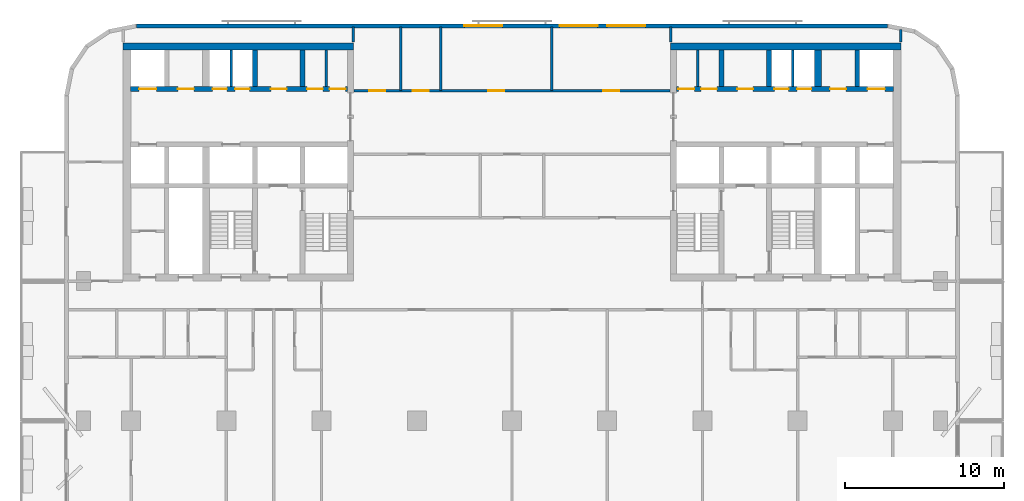
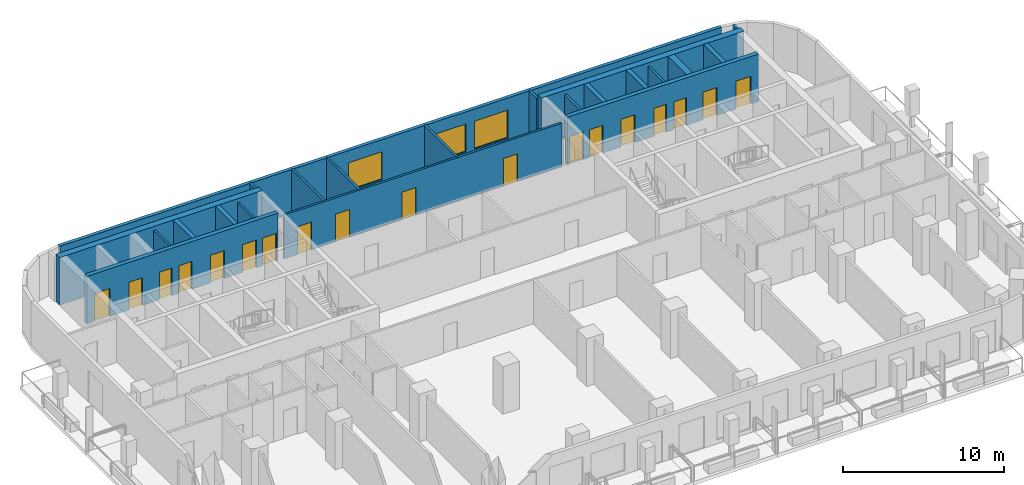
# One storey, part 7 of 12: 22 walls, 18 doors, 3 windows, 21 openings.
"""IFC4 building model written with IfcOpenShell, lengths in metres."""

from ifc_helpers import new_model, si_unit, direction, frame, frame_2d, origin, place, context, subcontext, project, spatial, rectangle, extrude, material, layer, layer_set, type_object, element, fill, save


model = new_model("IFC4")

# Units and contexts
model_context = context("Model", 3, precision=1e-05, world=origin(), true_north=direction((0.0, 1.0)))
body_context = subcontext(model_context, "Body", "Model", "MODEL_VIEW")
ifc_project = project(units=[si_unit("LENGTHUNIT", "METRE"), si_unit("AREAUNIT", "SQUARE_METRE"), si_unit("VOLUMEUNIT", "CUBIC_METRE"), si_unit("PLANEANGLEUNIT", "RADIAN"), si_unit("MASSUNIT", "GRAM", prefix="KILO")], contexts=[model_context])

# Site, building, storey
site_placement = place(None, origin())
site = spatial("IfcSite", under=ifc_project, at=site_placement, CompositionType="ELEMENT")
building_placement = place(site_placement, origin())
building = spatial("IfcBuilding", under=site, at=building_placement, Name="Torana Hotel and Residences", CompositionType="ELEMENT")
storey_placement = place(building_placement, frame((0.0, 0.0, 112.800048828125)))
storey = spatial("IfcBuildingStorey", under=building, at=storey_placement, Name="L28", CompositionType="ELEMENT", Elevation=112.800048828125)

# Wall, openings, doors
ifc_material_1 = material(Name="Concrete C70/85", Category="concrete")
ifc_layer_1 = layer(ifc_material_1, 0.300048828125)
ifc_layer_set_1 = layer_set([ifc_layer_1], Name="CORE WALL 300 C70/85")
wall_type_1 = type_object("IfcWallType", Name="CORE WALL 300 C70/85", PredefinedType="SHEAR", material=ifc_layer_set_1)
wall_1_placement = place(storey_placement, frame((-24.050048828125, -2.89990234375, 0.0), z_axis=(0.0, 0.0, 1.0), x_axis=(1.0, 0.0, 0.0)))
wall_1 = element("IfcWall", 1, at=wall_1_placement, inside=storey, type_object=wall_type_1, Name="Core wall W row-N", PredefinedType="SHEAR", context=body_context, shape_type="SweptSolid", body=[
    extrude(rectangle(XDim=13.699951171875, YDim=0.300048828125, at=frame_2d((6.85009765625, 0.0))), origin(), (0.0, 0.0, 1.0), 3.599853515625),
])
opening_1_placement = place(wall_1_placement, frame((0.550048828125, 0.0, 0.0)))
opening_1 = element("IfcOpeningElement", 2, at=opening_1_placement, cuts=wall_1, Name="Opening LD", PredefinedType="OPENING", context=body_context, shape_type="SweptSolid", body=[
    extrude(rectangle(XDim=1.10009765625, YDim=2.10009765625, at=frame_2d((0.550048828125, 1.050048828125))), frame((0.0, 0.159912109375, 0.0), z_axis=(0.0, -1.0, 0.0), x_axis=(1.0, 0.0, 0.0)), (0.0, 0.0, 1.0), 0.320068359375),
])
opening_2_placement = place(wall_1_placement, frame((6.612548828125, 0.0, 0.0)))
opening_2 = element("IfcOpeningElement", 3, at=opening_2_placement, cuts=wall_1, Name="Opening L28-08", PredefinedType="OPENING", context=body_context, shape_type="SweptSolid", body=[
    extrude(rectangle(XDim=0.89990234375, YDim=2.10009765625, at=frame_2d((0.449951171875, 1.050048828125))), frame((0.0, 0.159912109375, 0.0), z_axis=(0.0, -1.0, 0.0), x_axis=(1.0, 0.0, 0.0)), (0.0, 0.0, 1.0), 0.320068359375),
])
opening_3_placement = place(wall_1_placement, frame((5.1875, 0.0, 0.0)))
opening_3 = element("IfcOpeningElement", 4, at=opening_3_placement, cuts=wall_1, Name="Opening L28-09", PredefinedType="OPENING", context=body_context, shape_type="SweptSolid", body=[
    extrude(rectangle(XDim=0.89990234375, YDim=2.10009765625, at=frame_2d((0.449951171875, 1.050048828125))), frame((0.0, 0.159912109375, 0.0), z_axis=(0.0, -1.0, 0.0), x_axis=(1.0, 0.0, 0.0)), (0.0, 0.0, 1.0), 0.320068359375),
])
opening_4_placement = place(wall_1_placement, frame((12.5625, 0.0, 0.0)))
opening_4 = element("IfcOpeningElement", 5, at=opening_4_placement, cuts=wall_1, Name="Opening L28-10", PredefinedType="OPENING", context=body_context, shape_type="SweptSolid", body=[
    extrude(rectangle(XDim=1.0, YDim=2.10009765625, at=frame_2d((0.5, 1.050048828125))), frame((0.0, 0.159912109375, 0.0), z_axis=(0.0, -1.0, 0.0), x_axis=(1.0, 0.0, 0.0)), (0.0, 0.0, 1.0), 0.320068359375),
])
opening_5_placement = place(wall_1_placement, frame((11.137451171875, 0.0, 0.0)))
opening_5 = element("IfcOpeningElement", 6, at=opening_5_placement, cuts=wall_1, Name="Opening L28-11", PredefinedType="OPENING", context=body_context, shape_type="SweptSolid", body=[
    extrude(rectangle(XDim=1.0, YDim=2.10009765625, at=frame_2d((0.5, 1.050048828125))), frame((0.0, 0.159912109375, 0.0), z_axis=(0.0, -1.0, 0.0), x_axis=(1.0, 0.0, 0.0)), (0.0, 0.0, 1.0), 0.320068359375),
])
opening_6_placement = place(wall_1_placement, frame((8.85009765625, 0.0, 0.0)))
opening_6 = element("IfcOpeningElement", 7, at=opening_6_placement, cuts=wall_1, Name="Opening L28-12", PredefinedType="OPENING", context=body_context, shape_type="SweptSolid", body=[
    extrude(rectangle(XDim=1.0, YDim=2.10009765625, at=frame_2d((0.5, 1.050048828125))), frame((0.0, 0.159912109375, 0.0), z_axis=(0.0, -1.0, 0.0), x_axis=(1.0, 0.0, 0.0)), (0.0, 0.0, 1.0), 0.320068359375),
])
opening_7_placement = place(wall_1_placement, frame((3.0, 0.0, 0.0)))
opening_7 = element("IfcOpeningElement", 8, at=opening_7_placement, cuts=wall_1, Name="Opening L28-13", PredefinedType="OPENING", context=body_context, shape_type="SweptSolid", body=[
    extrude(rectangle(XDim=1.0, YDim=2.10009765625, at=frame_2d((0.5, 1.050048828125))), frame((0.0, 0.159912109375, 0.0), z_axis=(0.0, -1.0, 0.0), x_axis=(1.0, 0.0, 0.0)), (0.0, 0.0, 1.0), 0.320068359375),
])
ifc_material_2 = material(Name="Steel S235", Category="steel")
door_type_1 = type_object("IfcDoorType", Name="CORE ROOM FIRE DOOR D14 1000x2100", OperationType="SINGLE_SWING_LEFT", PredefinedType="DOOR", material=ifc_material_2)
door_1_placement = place(opening_4_placement, origin())
door_1 = element("IfcDoor", 9, at=door_1_placement, inside=storey, type_object=door_type_1, Name="N0A door L28", OperationType="SINGLE_SWING_RIGHT", OverallHeight=2.10009765625, OverallWidth=1.0, PredefinedType="DOOR", context=body_context, shape_type="SweptSolid", body=[
    extrude(rectangle(XDim=1.0, YDim=2.10009765625, at=frame_2d((0.5, 1.050048828125))), frame((0.0, 0.02490234375, 0.0), z_axis=(0.0, -1.0, 0.0), x_axis=(1.0, 0.0, 0.0)), (0.0, 0.0, 1.0), 0.050048828125),
])
fill(opening_4, door_1)
door_2_placement = place(opening_5_placement, origin())
door_2 = element("IfcDoor", 10, at=door_2_placement, inside=storey, type_object=door_type_1, Name="N0B door L28", OperationType="SINGLE_SWING_RIGHT", OverallHeight=2.10009765625, OverallWidth=1.0, PredefinedType="DOOR", context=body_context, shape_type="SweptSolid", body=[
    extrude(rectangle(XDim=1.0, YDim=2.10009765625, at=frame_2d((0.5, 1.050048828125))), frame((0.0, 0.02490234375, 0.0), z_axis=(0.0, -1.0, 0.0), x_axis=(1.0, 0.0, 0.0)), (0.0, 0.0, 1.0), 0.050048828125),
])
fill(opening_5, door_2)
door_3_placement = place(opening_6_placement, origin())
door_3 = element("IfcDoor", 11, at=door_3_placement, inside=storey, type_object=door_type_1, Name="N1 door L28", OperationType="SINGLE_SWING_RIGHT", OverallHeight=2.10009765625, OverallWidth=1.0, PredefinedType="DOOR", context=body_context, shape_type="SweptSolid", body=[
    extrude(rectangle(XDim=1.0, YDim=2.10009765625, at=frame_2d((0.5, 1.050048828125))), frame((0.0, 0.02490234375, 0.0), z_axis=(0.0, -1.0, 0.0), x_axis=(1.0, 0.0, 0.0)), (0.0, 0.0, 1.0), 0.050048828125),
])
fill(opening_6, door_3)
door_4_placement = place(opening_7_placement, origin())
door_4 = element("IfcDoor", 12, at=door_4_placement, inside=storey, type_object=door_type_1, Name="Freed-S1 door L28", OperationType="SINGLE_SWING_RIGHT", OverallHeight=2.10009765625, OverallWidth=1.0, PredefinedType="DOOR", context=body_context, shape_type="SweptSolid", body=[
    extrude(rectangle(XDim=1.0, YDim=2.10009765625, at=frame_2d((0.5, 1.050048828125))), frame((0.0, 0.02490234375, 0.0), z_axis=(0.0, -1.0, 0.0), x_axis=(1.0, 0.0, 0.0)), (0.0, 0.0, 1.0), 0.050048828125),
])
fill(opening_7, door_4)
ifc_material_3 = material(Name="Stainless steel 316", Category="steel")
door_type_2 = type_object("IfcDoorType", Name="LIFT LANDING DOOR LD 1100x2100", OperationType="DOUBLE_DOOR_SLIDING", PredefinedType="USERDEFINED", material=ifc_material_3)
door_5_placement = place(opening_1_placement, origin())
door_5 = element("IfcDoor", 13, at=door_5_placement, inside=storey, type_object=door_type_2, Name="Lift landing door M1 L28", ObjectType="LIFT LANDING DOOR", OperationType="DOUBLE_DOOR_SLIDING", OverallHeight=2.10009765625, OverallWidth=1.10009765625, PredefinedType="USERDEFINED", context=body_context, shape_type="SweptSolid", body=[
    extrude(rectangle(XDim=1.10009765625, YDim=2.10009765625, at=frame_2d((0.550048828125, 1.050048828125))), frame((0.0, 0.02490234375, 0.0), z_axis=(0.0, -1.0, 0.0), x_axis=(1.0, 0.0, 0.0)), (0.0, 0.0, 1.0), 0.050048828125),
])
fill(opening_1, door_5)
ifc_material_4 = material(Name="Steel S235", Category="steel")
door_type_3 = type_object("IfcDoorType", Name="RISER ACCESS DOOR D5 900x2100", OperationType="SINGLE_SWING_LEFT", PredefinedType="DOOR", material=ifc_material_4)
door_6_placement = place(opening_2_placement, origin())
door_6 = element("IfcDoor", 14, at=door_6_placement, inside=storey, type_object=door_type_3, Name="N2A door L28", OperationType="SINGLE_SWING_RIGHT", OverallHeight=2.10009765625, OverallWidth=0.89990234375, PredefinedType="DOOR", context=body_context, shape_type="SweptSolid", body=[
    extrude(rectangle(XDim=0.89990234375, YDim=2.10009765625, at=frame_2d((0.449951171875, 1.050048828125))), frame((0.0, 0.02490234375, 0.0), z_axis=(0.0, -1.0, 0.0), x_axis=(1.0, 0.0, 0.0)), (0.0, 0.0, 1.0), 0.050048828125),
])
fill(opening_2, door_6)
door_7_placement = place(opening_3_placement, origin())
door_7 = element("IfcDoor", 15, at=door_7_placement, inside=storey, type_object=door_type_3, Name="N2B door L28", OperationType="SINGLE_SWING_RIGHT", OverallHeight=2.10009765625, OverallWidth=0.89990234375, PredefinedType="DOOR", context=body_context, shape_type="SweptSolid", body=[
    extrude(rectangle(XDim=0.89990234375, YDim=2.10009765625, at=frame_2d((0.449951171875, 1.050048828125))), frame((0.0, 0.02490234375, 0.0), z_axis=(0.0, -1.0, 0.0), x_axis=(1.0, 0.0, 0.0)), (0.0, 0.0, 1.0), 0.050048828125),
])
fill(opening_3, door_7)

# Walls
for number, where, z_axis, x_axis, name in (
    (16, (-13.199951171875, -2.75, 0.0), (0.0, 0.0, 1.0), (0.0, 1.0, 0.0), "Core wall W x3.05-N"),
    (17, (-16.199951171875, -2.75, 0.0), (0.0, 0.0, 1.0), (0.0, 1.0, 0.0), "Core wall W x6.05-N"),
):
    element("IfcWall", number, at=place(storey_placement, frame(where, z_axis=z_axis, x_axis=x_axis)), inside=storey, type_object=wall_type_1, Name=name, PredefinedType="SHEAR", context=body_context, shape_type="SweptSolid", body=[
        extrude(rectangle(XDim=2.300048828125, YDim=0.300048828125, at=frame_2d((1.14990234375, 0.0))), origin(), (0.0, 0.0, 1.0), 3.599853515625),
    ])

# Wall, openings, doors
wall_2_placement = place(storey_placement, frame((10.35009765625, -2.89990234375, 0.0), z_axis=(0.0, 0.0, 1.0), x_axis=(1.0, 0.0, 0.0)))
wall_2 = element("IfcWall", 18, at=wall_2_placement, inside=storey, type_object=wall_type_1, Name="Core wall E row-N", PredefinedType="SHEAR", context=body_context, shape_type="SweptSolid", body=[
    extrude(rectangle(XDim=13.699951171875, YDim=0.300048828125, at=frame_2d((6.85009765625, 0.0))), origin(), (0.0, 0.0, 1.0), 3.599853515625),
])
opening_8_placement = place(wall_2_placement, frame((12.050048828125, 0.0, 0.0)))
opening_8 = element("IfcOpeningElement", 19, at=opening_8_placement, cuts=wall_2, Name="Opening LD", PredefinedType="OPENING", context=body_context, shape_type="SweptSolid", body=[
    extrude(rectangle(XDim=1.10009765625, YDim=2.10009765625, at=frame_2d((0.550048828125, 1.050048828125))), frame((0.0, 0.159912109375, 0.0), z_axis=(0.0, -1.0, 0.0), x_axis=(1.0, 0.0, 0.0)), (0.0, 0.0, 1.0), 0.320068359375),
])
opening_9_placement = place(wall_2_placement, frame((6.1875, 0.0, 0.0)))
opening_9 = element("IfcOpeningElement", 20, at=opening_9_placement, cuts=wall_2, Name="Opening L28-23", PredefinedType="OPENING", context=body_context, shape_type="SweptSolid", body=[
    extrude(rectangle(XDim=0.89990234375, YDim=2.10009765625, at=frame_2d((0.449951171875, 1.050048828125))), frame((0.0, 0.159912109375, 0.0), z_axis=(0.0, -1.0, 0.0), x_axis=(1.0, 0.0, 0.0)), (0.0, 0.0, 1.0), 0.320068359375),
])
opening_10_placement = place(wall_2_placement, frame((7.612548828125, 0.0, 0.0)))
opening_10 = element("IfcOpeningElement", 21, at=opening_10_placement, cuts=wall_2, Name="Opening L28-24", PredefinedType="OPENING", context=body_context, shape_type="SweptSolid", body=[
    extrude(rectangle(XDim=0.89990234375, YDim=2.10009765625, at=frame_2d((0.449951171875, 1.050048828125))), frame((0.0, 0.159912109375, 0.0), z_axis=(0.0, -1.0, 0.0), x_axis=(1.0, 0.0, 0.0)), (0.0, 0.0, 1.0), 0.320068359375),
])
opening_11_placement = place(wall_2_placement, frame((0.137451171875, 0.0, 0.0)))
opening_11 = element("IfcOpeningElement", 22, at=opening_11_placement, cuts=wall_2, Name="Opening L28-25", PredefinedType="OPENING", context=body_context, shape_type="SweptSolid", body=[
    extrude(rectangle(XDim=1.0, YDim=2.10009765625, at=frame_2d((0.5, 1.050048828125))), frame((0.0, 0.159912109375, 0.0), z_axis=(0.0, -1.0, 0.0), x_axis=(1.0, 0.0, 0.0)), (0.0, 0.0, 1.0), 0.320068359375),
])
opening_12_placement = place(wall_2_placement, frame((1.5625, 0.0, 0.0)))
opening_12 = element("IfcOpeningElement", 23, at=opening_12_placement, cuts=wall_2, Name="Opening L28-26", PredefinedType="OPENING", context=body_context, shape_type="SweptSolid", body=[
    extrude(rectangle(XDim=1.0, YDim=2.10009765625, at=frame_2d((0.5, 1.050048828125))), frame((0.0, 0.159912109375, 0.0), z_axis=(0.0, -1.0, 0.0), x_axis=(1.0, 0.0, 0.0)), (0.0, 0.0, 1.0), 0.320068359375),
])
opening_13_placement = place(wall_2_placement, frame((3.85009765625, 0.0, 0.0)))
opening_13 = element("IfcOpeningElement", 24, at=opening_13_placement, cuts=wall_2, Name="Opening L28-27", PredefinedType="OPENING", context=body_context, shape_type="SweptSolid", body=[
    extrude(rectangle(XDim=1.0, YDim=2.10009765625, at=frame_2d((0.5, 1.050048828125))), frame((0.0, 0.159912109375, 0.0), z_axis=(0.0, -1.0, 0.0), x_axis=(1.0, 0.0, 0.0)), (0.0, 0.0, 1.0), 0.320068359375),
])
opening_14_placement = place(wall_2_placement, frame((9.699951171875, 0.0, 0.0)))
opening_14 = element("IfcOpeningElement", 25, at=opening_14_placement, cuts=wall_2, Name="Opening L28-28", PredefinedType="OPENING", context=body_context, shape_type="SweptSolid", body=[
    extrude(rectangle(XDim=1.0, YDim=2.10009765625, at=frame_2d((0.5, 1.050048828125))), frame((0.0, 0.159912109375, 0.0), z_axis=(0.0, -1.0, 0.0), x_axis=(1.0, 0.0, 0.0)), (0.0, 0.0, 1.0), 0.320068359375),
])
door_8_placement = place(opening_11_placement, origin())
door_8 = element("IfcDoor", 26, at=door_8_placement, inside=storey, type_object=door_type_1, Name="N0A door L28", OperationType="SINGLE_SWING_RIGHT", OverallHeight=2.10009765625, OverallWidth=1.0, PredefinedType="DOOR", context=body_context, shape_type="SweptSolid", body=[
    extrude(rectangle(XDim=1.0, YDim=2.10009765625, at=frame_2d((0.5, 1.050048828125))), frame((0.0, 0.02490234375, 0.0), z_axis=(0.0, -1.0, 0.0), x_axis=(1.0, 0.0, 0.0)), (0.0, 0.0, 1.0), 0.050048828125),
])
fill(opening_11, door_8)
door_9_placement = place(opening_12_placement, origin())
door_9 = element("IfcDoor", 27, at=door_9_placement, inside=storey, type_object=door_type_1, Name="N0B door L28", OperationType="SINGLE_SWING_RIGHT", OverallHeight=2.10009765625, OverallWidth=1.0, PredefinedType="DOOR", context=body_context, shape_type="SweptSolid", body=[
    extrude(rectangle(XDim=1.0, YDim=2.10009765625, at=frame_2d((0.5, 1.050048828125))), frame((0.0, 0.02490234375, 0.0), z_axis=(0.0, -1.0, 0.0), x_axis=(1.0, 0.0, 0.0)), (0.0, 0.0, 1.0), 0.050048828125),
])
fill(opening_12, door_9)
door_10_placement = place(opening_13_placement, origin())
door_10 = element("IfcDoor", 28, at=door_10_placement, inside=storey, type_object=door_type_1, Name="N1 door L28", OperationType="SINGLE_SWING_RIGHT", OverallHeight=2.10009765625, OverallWidth=1.0, PredefinedType="DOOR", context=body_context, shape_type="SweptSolid", body=[
    extrude(rectangle(XDim=1.0, YDim=2.10009765625, at=frame_2d((0.5, 1.050048828125))), frame((0.0, 0.02490234375, 0.0), z_axis=(0.0, -1.0, 0.0), x_axis=(1.0, 0.0, 0.0)), (0.0, 0.0, 1.0), 0.050048828125),
])
fill(opening_13, door_10)
door_11_placement = place(opening_14_placement, origin())
door_11 = element("IfcDoor", 29, at=door_11_placement, inside=storey, type_object=door_type_1, Name="Freed-S2 door L28", OperationType="SINGLE_SWING_RIGHT", OverallHeight=2.10009765625, OverallWidth=1.0, PredefinedType="DOOR", context=body_context, shape_type="SweptSolid", body=[
    extrude(rectangle(XDim=1.0, YDim=2.10009765625, at=frame_2d((0.5, 1.050048828125))), frame((0.0, 0.02490234375, 0.0), z_axis=(0.0, -1.0, 0.0), x_axis=(1.0, 0.0, 0.0)), (0.0, 0.0, 1.0), 0.050048828125),
])
fill(opening_14, door_11)
door_12_placement = place(opening_8_placement, origin())
door_12 = element("IfcDoor", 30, at=door_12_placement, inside=storey, type_object=door_type_2, Name="Lift landing door M3 L28", ObjectType="LIFT LANDING DOOR", OperationType="DOUBLE_DOOR_SLIDING", OverallHeight=2.10009765625, OverallWidth=1.10009765625, PredefinedType="USERDEFINED", context=body_context, shape_type="SweptSolid", body=[
    extrude(rectangle(XDim=1.10009765625, YDim=2.10009765625, at=frame_2d((0.550048828125, 1.050048828125))), frame((0.0, 0.02490234375, 0.0), z_axis=(0.0, -1.0, 0.0), x_axis=(1.0, 0.0, 0.0)), (0.0, 0.0, 1.0), 0.050048828125),
])
fill(opening_8, door_12)
door_13_placement = place(opening_9_placement, origin())
door_13 = element("IfcDoor", 31, at=door_13_placement, inside=storey, type_object=door_type_3, Name="N2A door L28", OperationType="SINGLE_SWING_RIGHT", OverallHeight=2.10009765625, OverallWidth=0.89990234375, PredefinedType="DOOR", context=body_context, shape_type="SweptSolid", body=[
    extrude(rectangle(XDim=0.89990234375, YDim=2.10009765625, at=frame_2d((0.449951171875, 1.050048828125))), frame((0.0, 0.02490234375, 0.0), z_axis=(0.0, -1.0, 0.0), x_axis=(1.0, 0.0, 0.0)), (0.0, 0.0, 1.0), 0.050048828125),
])
fill(opening_9, door_13)
door_14_placement = place(opening_10_placement, origin())
door_14 = element("IfcDoor", 32, at=door_14_placement, inside=storey, type_object=door_type_3, Name="N2B door L28", OperationType="SINGLE_SWING_RIGHT", OverallHeight=2.10009765625, OverallWidth=0.89990234375, PredefinedType="DOOR", context=body_context, shape_type="SweptSolid", body=[
    extrude(rectangle(XDim=0.89990234375, YDim=2.10009765625, at=frame_2d((0.449951171875, 1.050048828125))), frame((0.0, 0.02490234375, 0.0), z_axis=(0.0, -1.0, 0.0), x_axis=(1.0, 0.0, 0.0)), (0.0, 0.0, 1.0), 0.050048828125),
])
fill(opening_10, door_14)

# Walls
for number, where, z_axis, x_axis, name in (
    (33, (13.199951171875, -2.75, 0.0), (0.0, 0.0, 1.0), (0.0, 1.0, 0.0), "Core wall E x3.05-N"),
    (34, (16.199951171875, -2.75, 0.0), (0.0, 0.0, 1.0), (0.0, 1.0, 0.0), "Core wall E x6.05-N"),
    (35, (21.75, -2.75, 0.0), (0.0, 0.0, 1.0), (0.0, 1.0, 0.0), "Core wall E mm-N"),
):
    element("IfcWall", number, at=place(storey_placement, frame(where, z_axis=z_axis, x_axis=x_axis)), inside=storey, type_object=wall_type_1, Name=name, PredefinedType="SHEAR", context=body_context, shape_type="SweptSolid", body=[
        extrude(rectangle(XDim=2.300048828125, YDim=0.300048828125, at=frame_2d((1.14990234375, 0.0))), origin(), (0.0, 0.0, 1.0), 3.599853515625),
    ])
ifc_material_5 = material(Name="Concrete C70/85", Category="concrete")
ifc_layer_2 = layer(ifc_material_5, 0.449951171875)
ifc_layer_set_2 = layer_set([ifc_layer_2], Name="CORE WALL 450 C70/85")
wall_type_2 = type_object("IfcWallType", Name="CORE WALL 450 C70/85", PredefinedType="SHEAR", material=ifc_layer_set_2)
for number, where, z_axis, x_axis, name in (
    (36, (-24.5, -0.22509765625, 0.0), (0.0, 0.0, 1.0), (1.0, 0.0, 0.0), "Core wall W rear"),
    (37, (10.0, -0.22509765625, 0.0), (0.0, 0.0, 1.0), (1.0, 0.0, 0.0), "Core wall E rear"),
):
    element("IfcWall", number, at=place(storey_placement, frame(where, z_axis=z_axis, x_axis=x_axis)), inside=storey, type_object=wall_type_2, Name=name, PredefinedType="SHEAR", context=body_context, shape_type="SweptSolid", body=[
        extrude(rectangle(XDim=14.5, YDim=0.449951171875, at=frame_2d((7.25, 0.0))), origin(), (0.0, 0.0, 1.0), 3.599853515625),
    ])
wall_3_placement = place(storey_placement, frame((19.27490234375, -2.75, 0.0), z_axis=(0.0, 0.0, 1.0), x_axis=(0.0, 1.0, 0.0)))
element("IfcWall", 38, at=wall_3_placement, inside=storey, type_object=wall_type_2, Name="Core wall E hm-N", PredefinedType="SHEAR", context=body_context, shape_type="SweptSolid", body=[
    extrude(rectangle(XDim=2.300048828125, YDim=0.449951171875, at=frame_2d((1.14990234375, 0.0))), origin(), (0.0, 0.0, 1.0), 3.599853515625),
])

# Wall, openings, windows
ifc_material_6 = material(Name="Concrete C40/50 precast", Category="concrete")
ifc_layer_3 = layer(ifc_material_6, 0.10009765625, Name="Perforated block", Category="cladding")
ifc_material_7 = material(Name="Air cavity")
ifc_layer_4 = layer(ifc_material_7, 0.030029296875, Name="Cavity", Category="cavity")
ifc_material_8 = material(Name="Concrete C40/50", Category="concrete")
ifc_layer_5 = layer(ifc_material_8, 0.10009765625, Name="Wall", Category="structure")
ifc_material_9 = material(Name="Plaster and paint")
ifc_layer_6 = layer(ifc_material_9, 0.02001953125, Name="Inner finish", Category="finish")
ifc_layer_set_3 = layer_set([ifc_layer_3, ifc_layer_4, ifc_layer_5, ifc_layer_6], Name="EW2 PERFORATED BLOCK SCREEN WALL 250")
wall_type_3 = type_object("IfcWallType", Name="EW2 PERFORATED BLOCK SCREEN WALL 250", PredefinedType="SOLIDWALL", material=ifc_layer_set_3)
wall_4_placement = place(storey_placement, frame((23.67529296875, 1.074951171875, 0.0), z_axis=(0.0, 0.0, 1.0), x_axis=(-1.0, 0.0, 0.0)))
wall_4 = element("IfcWall", 39, at=wall_4_placement, inside=storey, type_object=wall_type_3, Name="External wall L28 e0.4", PredefinedType="SOLIDWALL", context=body_context, shape_type="SweptSolid", body=[
    extrude(rectangle(XDim=47.3505859375, YDim=0.25, at=frame_2d((23.67529296875, 0.0))), origin(), (0.0, 0.0, 1.0), 3.320068359375),
])
opening_15_placement = place(wall_4_placement, frame((15.275390625, 0.0, 0.300048828125)))
opening_15 = element("IfcOpeningElement", 40, at=opening_15_placement, cuts=wall_4, Name="Opening W1", PredefinedType="OPENING", context=body_context, shape_type="SweptSolid", body=[
    extrude(rectangle(XDim=2.39990234375, YDim=2.10009765625, at=frame_2d((1.199951171875, 1.050048828125))), frame((0.0, 0.135009765625, 0.0), z_axis=(0.0, -1.0, 0.0), x_axis=(1.0, 0.0, 0.0)), (0.0, 0.0, 1.0), 0.27001953125),
])
opening_16_placement = place(wall_4_placement, frame((18.275390625, 0.0, 0.300048828125)))
opening_16 = element("IfcOpeningElement", 41, at=opening_16_placement, cuts=wall_4, Name="Opening W1", PredefinedType="OPENING", context=body_context, shape_type="SweptSolid", body=[
    extrude(rectangle(XDim=2.39990234375, YDim=2.10009765625, at=frame_2d((1.199951171875, 1.050048828125))), frame((0.0, 0.135009765625, 0.0), z_axis=(0.0, -1.0, 0.0), x_axis=(1.0, 0.0, 0.0)), (0.0, 0.0, 1.0), 0.27001953125),
])
opening_17_placement = place(wall_4_placement, frame((24.275390625, 0.0, 0.300048828125)))
opening_17 = element("IfcOpeningElement", 42, at=opening_17_placement, cuts=wall_4, Name="Opening W1", PredefinedType="OPENING", context=body_context, shape_type="SweptSolid", body=[
    extrude(rectangle(XDim=2.39990234375, YDim=2.10009765625, at=frame_2d((1.199951171875, 1.050048828125))), frame((0.0, 0.135009765625, 0.0), z_axis=(0.0, -1.0, 0.0), x_axis=(1.0, 0.0, 0.0)), (0.0, 0.0, 1.0), 0.27001953125),
])
ifc_material_10 = material(Name="Dark glass in black aluminium frame", Category="aluminium")
window_type = type_object("IfcWindowType", Name="W1 HOTEL ROOM WINDOW 2400x2100", PartitioningType="SINGLE_PANEL", PredefinedType="WINDOW", material=ifc_material_10)
window_1_placement = place(opening_15_placement, origin())
window_1 = element("IfcWindow", 43, at=window_1_placement, inside=storey, type_object=window_type, Name="Window L28", OverallHeight=2.10009765625, OverallWidth=2.39990234375, PartitioningType="SINGLE_PANEL", PredefinedType="WINDOW", context=body_context, shape_type="SweptSolid", body=[
    extrude(rectangle(XDim=2.39990234375, YDim=2.10009765625, at=frame_2d((1.199951171875, 1.050048828125))), frame((0.0, 0.030029296875, 0.0), z_axis=(0.0, -1.0, 0.0), x_axis=(1.0, 0.0, 0.0)), (0.0, 0.0, 1.0), 0.06005859375),
])
fill(opening_15, window_1)
window_2_placement = place(opening_16_placement, origin())
window_2 = element("IfcWindow", 44, at=window_2_placement, inside=storey, type_object=window_type, Name="Window L28", OverallHeight=2.10009765625, OverallWidth=2.39990234375, PartitioningType="SINGLE_PANEL", PredefinedType="WINDOW", context=body_context, shape_type="SweptSolid", body=[
    extrude(rectangle(XDim=2.39990234375, YDim=2.10009765625, at=frame_2d((1.199951171875, 1.050048828125))), frame((0.0, 0.030029296875, 0.0), z_axis=(0.0, -1.0, 0.0), x_axis=(1.0, 0.0, 0.0)), (0.0, 0.0, 1.0), 0.06005859375),
])
fill(opening_16, window_2)
window_3_placement = place(opening_17_placement, origin())
window_3 = element("IfcWindow", 45, at=window_3_placement, inside=storey, type_object=window_type, Name="Window L28", OverallHeight=2.10009765625, OverallWidth=2.39990234375, PartitioningType="SINGLE_PANEL", PredefinedType="WINDOW", context=body_context, shape_type="SweptSolid", body=[
    extrude(rectangle(XDim=2.39990234375, YDim=2.10009765625, at=frame_2d((1.199951171875, 1.050048828125))), frame((0.0, 0.030029296875, 0.0), z_axis=(0.0, -1.0, 0.0), x_axis=(1.0, 0.0, 0.0)), (0.0, 0.0, 1.0), 0.06005859375),
])
fill(opening_17, window_3)

# Walls
ifc_material_11 = material(Name="Gypsum plaster")
ifc_layer_7 = layer(ifc_material_11, 0.014892578125, Name="Plaster", Category="finish")
ifc_material_12 = material(Name="Concrete blockwork", Category="masonry")
ifc_layer_8 = layer(ifc_material_12, 0.1201171875, Name="Blockwork", Category="structure")
ifc_layer_9 = layer(ifc_material_11, 0.014892578125, Name="Plaster", Category="finish")
ifc_layer_set_4 = layer_set([ifc_layer_7, ifc_layer_8, ifc_layer_9], Name="FIRE PARTITION 150 BLOCKWORK")
wall_type_4 = type_object("IfcWallType", Name="FIRE PARTITION 150 BLOCKWORK", PredefinedType="PARTITIONING", material=ifc_layer_set_4)
for number, where, z_axis, x_axis, name in (
    (46, (-17.699951171875, -2.75, 0.0), (0.0, 0.0, 1.0), (0.0, 1.0, 0.0), "Core partition L28"),
    (47, (-11.699951171875, -2.75, 0.0), (0.0, 0.0, 1.0), (0.0, 1.0, 0.0), "Core partition L28"),
    (48, (17.699951171875, -2.75, 0.0), (0.0, 0.0, 1.0), (0.0, 1.0, 0.0), "Core partition L28"),
    (49, (11.699951171875, -2.75, 0.0), (0.0, 0.0, 1.0), (0.0, 1.0, 0.0), "Core partition L28"),
):
    element("IfcWall", number, at=place(storey_placement, frame(where, z_axis=z_axis, x_axis=x_axis)), inside=storey, type_object=wall_type_4, Name=name, PredefinedType="PARTITIONING", context=body_context, shape_type="SweptSolid", body=[
        extrude(rectangle(XDim=2.300048828125, YDim=0.14990234375, at=frame_2d((1.14990234375, 0.0))), origin(), (0.0, 0.0, 1.0), 3.300048828125),
    ])

# Wall, openings, doors
wall_5_placement = place(storey_placement, frame((-9.949951171875, -3.0, 0.0), z_axis=(0.0, 0.0, 1.0), x_axis=(1.0, 0.0, 0.0)))
wall_5 = element("IfcWall", 50, at=wall_5_placement, inside=storey, type_object=wall_type_4, Name="Partition L28", PredefinedType="PARTITIONING", context=body_context, shape_type="SweptSolid", body=[
    extrude(rectangle(XDim=19.89990234375, YDim=0.14990234375, at=frame_2d((9.949951171875, 0.0))), origin(), (0.0, 0.0, 1.0), 3.320068359375),
])
opening_18_placement = place(wall_5_placement, frame((0.949951171875, 0.0, 0.0)))
opening_18 = element("IfcOpeningElement", 51, at=opening_18_placement, cuts=wall_5, Name="Opening L28-49", PredefinedType="OPENING", context=body_context, shape_type="SweptSolid", body=[
    extrude(rectangle(XDim=1.0, YDim=2.10009765625, at=frame_2d((0.5, 1.050048828125))), frame((0.0, 0.0849609375, 0.0), z_axis=(0.0, -1.0, 0.0), x_axis=(1.0, 0.0, 0.0)), (0.0, 0.0, 1.0), 0.169921875),
])
opening_19_placement = place(wall_5_placement, frame((3.699951171875, 0.0, 0.0)))
opening_19 = element("IfcOpeningElement", 52, at=opening_19_placement, cuts=wall_5, Name="Opening L28-50", PredefinedType="OPENING", context=body_context, shape_type="SweptSolid", body=[
    extrude(rectangle(XDim=1.0, YDim=2.10009765625, at=frame_2d((0.5, 1.050048828125))), frame((0.0, 0.0849609375, 0.0), z_axis=(0.0, -1.0, 0.0), x_axis=(1.0, 0.0, 0.0)), (0.0, 0.0, 1.0), 0.169921875),
])
opening_20_placement = place(wall_5_placement, frame((8.449951171875, 0.0, 0.0)))
opening_20 = element("IfcOpeningElement", 53, at=opening_20_placement, cuts=wall_5, Name="Opening L28-51", PredefinedType="OPENING", context=body_context, shape_type="SweptSolid", body=[
    extrude(rectangle(XDim=1.0, YDim=2.10009765625, at=frame_2d((0.5, 1.050048828125))), frame((0.0, 0.0849609375, 0.0), z_axis=(0.0, -1.0, 0.0), x_axis=(1.0, 0.0, 0.0)), (0.0, 0.0, 1.0), 0.169921875),
])
opening_21_placement = place(wall_5_placement, frame((15.699951171875, 0.0, 0.0)))
opening_21 = element("IfcOpeningElement", 54, at=opening_21_placement, cuts=wall_5, Name="Opening L28-52", PredefinedType="OPENING", context=body_context, shape_type="SweptSolid", body=[
    extrude(rectangle(XDim=1.0, YDim=2.10009765625, at=frame_2d((0.5, 1.050048828125))), frame((0.0, 0.0849609375, 0.0), z_axis=(0.0, -1.0, 0.0), x_axis=(1.0, 0.0, 0.0)), (0.0, 0.0, 1.0), 0.169921875),
])
ifc_material_13 = material(Name="Steel S235", Category="steel")
door_type_4 = type_object("IfcDoorType", Name="ENTRY FIRE DOOR D6 1000x2100", OperationType="SINGLE_SWING_LEFT", PredefinedType="DOOR", material=ifc_material_13)
door_15_placement = place(opening_18_placement, origin())
door_15 = element("IfcDoor", 55, at=door_15_placement, inside=storey, type_object=door_type_4, Name="Door L28", OperationType="SINGLE_SWING_RIGHT", OverallHeight=2.10009765625, OverallWidth=1.0, PredefinedType="DOOR", context=body_context, shape_type="SweptSolid", body=[
    extrude(rectangle(XDim=1.0, YDim=2.10009765625, at=frame_2d((0.5, 1.050048828125))), frame((0.0, 0.02490234375, 0.0), z_axis=(0.0, -1.0, 0.0), x_axis=(1.0, 0.0, 0.0)), (0.0, 0.0, 1.0), 0.050048828125),
])
fill(opening_18, door_15)
door_16_placement = place(opening_19_placement, origin())
door_16 = element("IfcDoor", 56, at=door_16_placement, inside=storey, type_object=door_type_4, Name="Door L28", OperationType="SINGLE_SWING_RIGHT", OverallHeight=2.10009765625, OverallWidth=1.0, PredefinedType="DOOR", context=body_context, shape_type="SweptSolid", body=[
    extrude(rectangle(XDim=1.0, YDim=2.10009765625, at=frame_2d((0.5, 1.050048828125))), frame((0.0, 0.02490234375, 0.0), z_axis=(0.0, -1.0, 0.0), x_axis=(1.0, 0.0, 0.0)), (0.0, 0.0, 1.0), 0.050048828125),
])
fill(opening_19, door_16)
door_17_placement = place(opening_20_placement, origin())
door_17 = element("IfcDoor", 57, at=door_17_placement, inside=storey, type_object=door_type_4, Name="Door L28", OperationType="SINGLE_SWING_RIGHT", OverallHeight=2.10009765625, OverallWidth=1.0, PredefinedType="DOOR", context=body_context, shape_type="SweptSolid", body=[
    extrude(rectangle(XDim=1.0, YDim=2.10009765625, at=frame_2d((0.5, 1.050048828125))), frame((0.0, 0.02490234375, 0.0), z_axis=(0.0, -1.0, 0.0), x_axis=(1.0, 0.0, 0.0)), (0.0, 0.0, 1.0), 0.050048828125),
])
fill(opening_20, door_17)
door_18_placement = place(opening_21_placement, origin())
door_18 = element("IfcDoor", 58, at=door_18_placement, inside=storey, type_object=door_type_4, Name="Door L28", OperationType="SINGLE_SWING_RIGHT", OverallHeight=2.10009765625, OverallWidth=1.0, PredefinedType="DOOR", context=body_context, shape_type="SweptSolid", body=[
    extrude(rectangle(XDim=1.0, YDim=2.10009765625, at=frame_2d((0.5, 1.050048828125))), frame((0.0, 0.02490234375, 0.0), z_axis=(0.0, -1.0, 0.0), x_axis=(1.0, 0.0, 0.0)), (0.0, 0.0, 1.0), 0.050048828125),
])
fill(opening_21, door_18)

# Walls
ifc_material_14 = material(Name="Gypsum plasterboard")
ifc_layer_10 = layer(ifc_material_14, 0.012451171875, Name="Plasterboard", Category="finish")
ifc_layer_11 = layer(ifc_material_14, 0.012451171875, Name="Plasterboard", Category="finish")
ifc_material_15 = material(Name="Steel S280GD", Category="steel")
ifc_layer_12 = layer(ifc_material_15, 0.10009765625, Name="Steel studs with mineral wool", Category="insulation")
ifc_layer_13 = layer(ifc_material_14, 0.012451171875, Name="Plasterboard", Category="finish")
ifc_layer_14 = layer(ifc_material_14, 0.012451171875, Name="Plasterboard", Category="finish")
ifc_layer_set_5 = layer_set([ifc_layer_10, ifc_layer_11, ifc_layer_12, ifc_layer_13, ifc_layer_14], Name="PARTITION 150 PLASTERBOARD")
wall_type_5 = type_object("IfcWallType", Name="PARTITION 150 PLASTERBOARD", PredefinedType="PARTITIONING", material=ifc_layer_set_5)
wall_6_placement = place(storey_placement, frame((24.5, 0.050048828125, 0.0), z_axis=(0.0, 0.0, 1.0), x_axis=(0.0, 1.0, 0.0)))
element("IfcWall", 59, at=wall_6_placement, inside=storey, type_object=wall_type_5, Name="Partition L28", PredefinedType="PARTITIONING", context=body_context, shape_type="SweptSolid", body=[
    extrude(rectangle(XDim=0.807373046875, YDim=0.14990234375, at=frame_2d((0.40380859375, 0.0))), origin(), (0.0, 0.0, 1.0), 3.320068359375),
])
wall_7_placement = place(storey_placement, frame((10.0, 0.050048828125, 0.0), z_axis=(0.0, 0.0, 1.0), x_axis=(0.0, 1.0, 0.0)))
element("IfcWall", 60, at=wall_7_placement, inside=storey, type_object=wall_type_5, Name="Partition L28", PredefinedType="PARTITIONING", context=body_context, shape_type="SweptSolid", body=[
    extrude(rectangle(XDim=0.969970703125, YDim=0.14990234375, at=frame_2d((0.48486328125, 0.0))), origin(), (0.0, 0.0, 1.0), 3.320068359375),
])
wall_8_placement = place(storey_placement, frame((2.5, -3.0, 0.0), z_axis=(0.0, 0.0, 1.0), x_axis=(0.0, 1.0, 0.0)))
element("IfcWall", 61, at=wall_8_placement, inside=storey, type_object=wall_type_5, Name="Partition L28", PredefinedType="PARTITIONING", context=body_context, shape_type="SweptSolid", body=[
    extrude(rectangle(XDim=4.02001953125, YDim=0.14990234375, at=frame_2d((2.010009765625, 0.0))), origin(), (0.0, 0.0, 1.0), 3.320068359375),
])
ifc_material_16 = material(Name="Ceramic tile on adhesive")
ifc_layer_15 = layer(ifc_material_16, 0.010009765625, Name="Wall tile", Category="finish")
ifc_material_17 = material(Name="Cement render")
ifc_layer_16 = layer(ifc_material_17, 0.010009765625, Name="Render", Category="finish")
ifc_layer_17 = layer(ifc_material_12, 0.110107421875, Name="Blockwork", Category="structure")
ifc_layer_18 = layer(ifc_material_17, 0.010009765625, Name="Render", Category="finish")
ifc_layer_19 = layer(ifc_material_16, 0.010009765625, Name="Wall tile", Category="finish")
ifc_layer_set_6 = layer_set([ifc_layer_15, ifc_layer_16, ifc_layer_17, ifc_layer_18, ifc_layer_19], Name="WC PARTITION 150")
wall_type_6 = type_object("IfcWallType", Name="WC PARTITION 150", PredefinedType="PLUMBINGWALL", material=ifc_layer_set_6)
for number, where, z_axis, x_axis, name in (
    (62, (-4.5, -3.0, 0.0), (0.0, 0.0, 1.0), (0.0, 1.0, 0.0), "Partition L28"),
    (63, (-7.0, -3.0, 0.0), (0.0, 0.0, 1.0), (0.0, 1.0, 0.0), "Partition L28"),
):
    element("IfcWall", number, at=place(storey_placement, frame(where, z_axis=z_axis, x_axis=x_axis)), inside=storey, type_object=wall_type_6, Name=name, PredefinedType="PLUMBINGWALL", context=body_context, shape_type="SweptSolid", body=[
        extrude(rectangle(XDim=4.02001953125, YDim=0.14990234375, at=frame_2d((2.010009765625, 0.0))), origin(), (0.0, 0.0, 1.0), 3.320068359375),
    ])
wall_9_placement = place(storey_placement, frame((-10.0, 0.050048828125, 0.0), z_axis=(0.0, 0.0, 1.0), x_axis=(0.0, 1.0, 0.0)))
element("IfcWall", 64, at=wall_9_placement, inside=storey, type_object=wall_type_6, Name="Partition L28", PredefinedType="PLUMBINGWALL", context=body_context, shape_type="SweptSolid", body=[
    extrude(rectangle(XDim=0.969970703125, YDim=0.14990234375, at=frame_2d((0.48486328125, 0.0))), origin(), (0.0, 0.0, 1.0), 3.320068359375),
])

save(model, "model.ifc")
